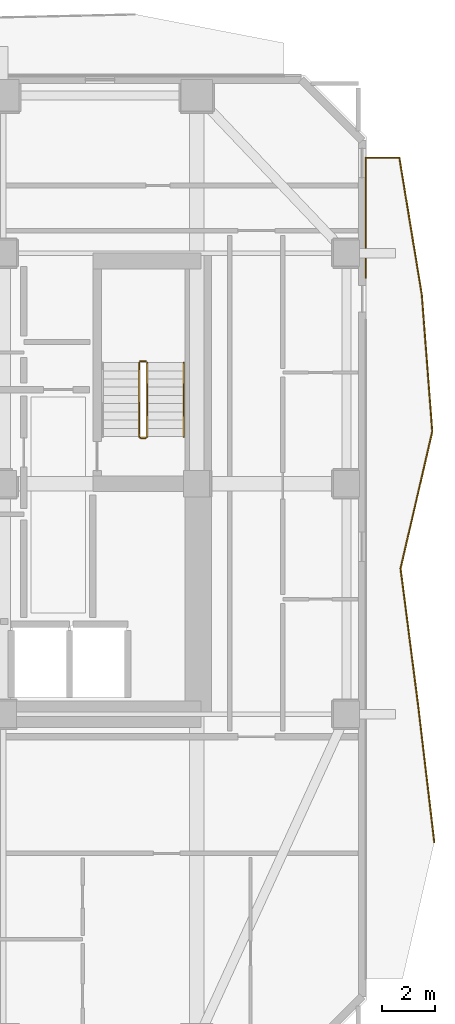
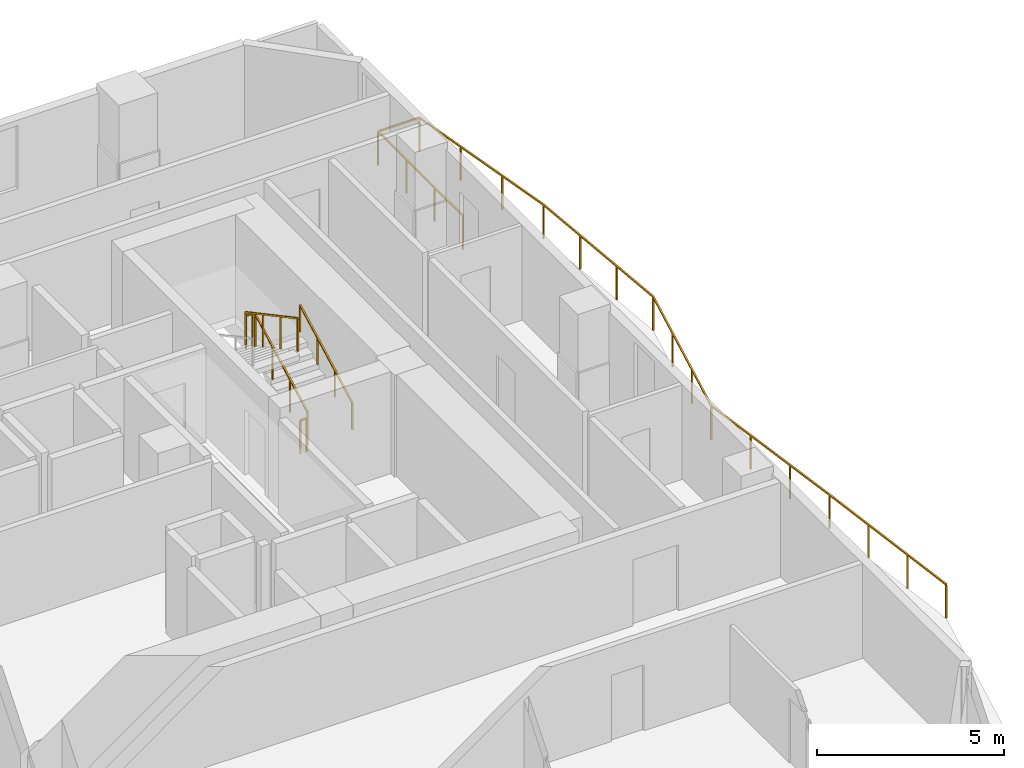
# One storey, part 10 of 11: 6 railings.
"""IFC4 building model written with IfcOpenShell, lengths in metres."""

from ifc_helpers import new_model, si_unit, direction, frame, origin, origin_2d, place, context, subcontext, project, spatial, rectangle, extrude, material, type_object, element, save


model = new_model("IFC4")

# Units and contexts
model_context = context("Model", 3, precision=1e-05, world=origin(), true_north=direction((0.0, 1.0)))
body_context = subcontext(model_context, "Body", "Model", "MODEL_VIEW")
ifc_project = project(units=[si_unit("LENGTHUNIT", "METRE"), si_unit("AREAUNIT", "SQUARE_METRE"), si_unit("VOLUMEUNIT", "CUBIC_METRE"), si_unit("PLANEANGLEUNIT", "RADIAN"), si_unit("MASSUNIT", "GRAM", prefix="KILO")], contexts=[model_context])

# Site, building, storey
site_placement = place(None, origin())
site = spatial("IfcSite", under=ifc_project, at=site_placement, CompositionType="ELEMENT")
building_placement = place(site_placement, origin())
building = spatial("IfcBuilding", under=site, at=building_placement, Name="Solanera Arch Residences", CompositionType="ELEMENT")
storey_placement = place(building_placement, frame((0.0, 0.0, 116.0400390625)))
storey = spatial("IfcBuildingStorey", under=building, at=storey_placement, Name="L33", CompositionType="ELEMENT", Elevation=116.0400390625)

# Railings
ifc_material_1 = material(Name="Steel S355 (ASTM A992 / A572 Grade 50)", Category="steel")
railing_type_1 = type_object("IfcRailingType", Name="Balustrade Railing BL-1100", PredefinedType="BALUSTRADE", material=ifc_material_1)
railing_1_placement = place(storey_placement, frame((45.468017578125, 17.1669921875, 0.0)))
element("IfcRailing", 1, at=railing_1_placement, inside=storey, type_object=railing_type_1, Name="L33 E Balcony Balustrade 1", PredefinedType="BALUSTRADE", context=body_context, shape_type="SweptSolid", body=[
    extrude(rectangle(XDim=0.048095703125, YDim=0.048095703125, at=origin_2d()), frame((0.0, 0.0, 1.09619140625), z_axis=(-0.117099940388, 0.993120135714, 0.0), x_axis=(-0.993120135714, -0.117099940388, 0.0)), (0.0, 0.0, 1.0), 5.201904296875),
    extrude(rectangle(XDim=0.048095703125, YDim=0.048095703125, at=origin_2d()), frame((-0.609130859375, 5.166015625, 1.09619140625), z_axis=(-0.127425584746, 0.991848133714, 0.0), x_axis=(-0.991848133714, -0.127425584746, 0.0)), (0.0, 0.0, 1.0), 5.20947265625),
    extrude(rectangle(XDim=0.048095703125, YDim=0.048095703125, at=origin_2d()), frame((-1.27294921875, 10.3330078125, 1.09619140625), z_axis=(0.225689792519, 0.974199218616, 0.0), x_axis=(-0.974199218616, 0.225689792519, 0.0)), (0.0, 0.0, 1.0), 5.303955078125),
    extrude(rectangle(XDim=0.048095703125, YDim=0.048095703125, at=origin_2d()), frame((-0.075927734375, 15.5, 1.09619140625), z_axis=(-0.076242462164, 0.997089307416, 0.0), x_axis=(-0.997089307416, -0.076242462164, 0.0)), (0.0, 0.0, 1.0), 5.18115234375),
    extrude(rectangle(XDim=0.048095703125, YDim=0.048095703125, at=origin_2d()), frame((-0.470947265625, 20.666015625, 1.09619140625), z_axis=(-0.161797358428, 0.986824003967, 0.0), x_axis=(-0.986824003967, -0.161797358428, 0.0)), (0.0, 0.0, 1.0), 5.236083984375),
    extrude(rectangle(XDim=0.048095703125, YDim=0.048095703125, at=origin_2d()), frame((-1.318115234375, 25.8330078125, 1.09619140625), z_axis=(-1.0, 0.0, 0.0), x_axis=(0.0, -1.0, 0.0)), (0.0, 0.0, 1.0), 1.27001953125),
    extrude(rectangle(XDim=0.048095703125, YDim=0.048095703125, at=origin_2d()), frame((-2.588134765625, 25.8330078125, 1.09619140625), z_axis=(0.0, -1.0, 0.0), x_axis=(1.0, 0.0, 0.0)), (0.0, 0.0, 1.0), 4.52197265625),
    extrude(rectangle(XDim=0.0419921875, YDim=0.0419921875, at=origin_2d()), origin(), (0.0, 0.0, 1.0), 1.072021484375),
    extrude(rectangle(XDim=0.0419921875, YDim=0.0419921875, at=origin_2d()), frame((-0.203125, 1.721923828125, 0.0)), (0.0, 0.0, 1.0), 1.072021484375),
    extrude(rectangle(XDim=0.0419921875, YDim=0.0419921875, at=origin_2d()), frame((-0.406005859375, 3.444091796875, 0.0)), (0.0, 0.0, 1.0), 1.072021484375),
    extrude(rectangle(XDim=0.0419921875, YDim=0.0419921875, at=origin_2d()), frame((-0.609130859375, 5.166015625, 0.0)), (0.0, 0.0, 1.0), 1.072021484375),
    extrude(rectangle(XDim=0.0419921875, YDim=0.0419921875, at=origin_2d()), frame((-0.830322265625, 6.888427734375, 0.0)), (0.0, 0.0, 1.0), 1.072021484375),
    extrude(rectangle(XDim=0.0419921875, YDim=0.0419921875, at=origin_2d()), frame((-1.0517578125, 8.610595703125, 0.0)), (0.0, 0.0, 1.0), 1.072021484375),
    extrude(rectangle(XDim=0.0419921875, YDim=0.0419921875, at=origin_2d()), frame((-1.27294921875, 10.3330078125, 0.0)), (0.0, 0.0, 1.0), 1.072021484375),
    extrude(rectangle(XDim=0.0419921875, YDim=0.0419921875, at=origin_2d()), frame((-0.8740234375, 12.055419921875, 0.0)), (0.0, 0.0, 1.0), 1.072021484375),
    extrude(rectangle(XDim=0.0419921875, YDim=0.0419921875, at=origin_2d()), frame((-0.474853515625, 13.777587890625, 0.0)), (0.0, 0.0, 1.0), 1.072021484375),
    extrude(rectangle(XDim=0.0419921875, YDim=0.0419921875, at=origin_2d()), frame((-0.075927734375, 15.5, 0.0)), (0.0, 0.0, 1.0), 1.072021484375),
    extrude(rectangle(XDim=0.0419921875, YDim=0.0419921875, at=origin_2d()), frame((-0.20751953125, 17.221923828125, 0.0)), (0.0, 0.0, 1.0), 1.072021484375),
    extrude(rectangle(XDim=0.0419921875, YDim=0.0419921875, at=origin_2d()), frame((-0.33935546875, 18.944091796875, 0.0)), (0.0, 0.0, 1.0), 1.072021484375),
    extrude(rectangle(XDim=0.0419921875, YDim=0.0419921875, at=origin_2d()), frame((-0.470947265625, 20.666015625, 0.0)), (0.0, 0.0, 1.0), 1.072021484375),
    extrude(rectangle(XDim=0.0419921875, YDim=0.0419921875, at=origin_2d()), frame((-0.75341796875, 22.388427734375, 0.0)), (0.0, 0.0, 1.0), 1.072021484375),
    extrude(rectangle(XDim=0.0419921875, YDim=0.0419921875, at=origin_2d()), frame((-1.03564453125, 24.110595703125, 0.0)), (0.0, 0.0, 1.0), 1.072021484375),
    extrude(rectangle(XDim=0.0419921875, YDim=0.0419921875, at=origin_2d()), frame((-1.318115234375, 25.8330078125, 0.0)), (0.0, 0.0, 1.0), 1.072021484375),
    extrude(rectangle(XDim=0.0419921875, YDim=0.0419921875, at=origin_2d()), frame((-2.588134765625, 25.8330078125, 0.0)), (0.0, 0.0, 1.0), 1.072021484375),
    extrude(rectangle(XDim=0.0419921875, YDim=0.0419921875, at=origin_2d()), frame((-2.588134765625, 24.32568359375, 0.0)), (0.0, 0.0, 1.0), 1.072021484375),
    extrude(rectangle(XDim=0.0419921875, YDim=0.0419921875, at=origin_2d()), frame((-2.588134765625, 22.818359375, 0.0)), (0.0, 0.0, 1.0), 1.072021484375),
    extrude(rectangle(XDim=0.0419921875, YDim=0.0419921875, at=origin_2d()), frame((-2.588134765625, 21.31103515625, 0.0)), (0.0, 0.0, 1.0), 1.072021484375),
])
ifc_material_2 = material(Name="Steel S355 (ASTM A992 / A572 Grade 50)", Category="steel")
railing_type_2 = type_object("IfcRailingType", Name="Stair Guardrail GR-1100", PredefinedType="GUARDRAIL", material=ifc_material_2)
railing_2_placement = place(storey_placement, frame((34.6298828125, 32.47998046875, 0.15087890625)))
element("IfcRailing", 2, at=railing_2_placement, inside=storey, type_object=railing_type_2, Name="L33 ST-T2 stair guard 1", PredefinedType="GUARDRAIL", context=body_context, shape_type="SweptSolid", body=[
    extrude(rectangle(XDim=0.048095703125, YDim=0.048095703125, at=origin_2d()), frame((0.0, 0.0, 1.076171875), z_axis=(0.0, 0.881548766853, 0.472092969298), x_axis=(-1.0, 0.0, 0.0)), (0.0, 0.0, 1.0), 3.1650390625),
    extrude(rectangle(XDim=0.0419921875, YDim=0.0419921875, at=origin_2d()), origin(), (0.0, 0.0, 1.0), 1.052001953125),
    extrude(rectangle(XDim=0.0419921875, YDim=0.0419921875, at=origin_2d()), frame((0.0, 0.929931640625, 0.498046875)), (0.0, 0.0, 1.0), 1.052001953125),
    extrude(rectangle(XDim=0.0419921875, YDim=0.0419921875, at=origin_2d()), frame((0.0, 1.860107421875, 0.99609375)), (0.0, 0.0, 1.0), 1.052001953125),
    extrude(rectangle(XDim=0.0419921875, YDim=0.0419921875, at=origin_2d()), frame((0.0, 2.7900390625, 1.494140625)), (0.0, 0.0, 1.0), 1.052001953125),
])
railing_3_placement = place(storey_placement, frame((34.580078125, 35.320068359375, 1.64501953125)))
element("IfcRailing", 3, at=railing_3_placement, inside=storey, type_object=railing_type_2, Name="L33 ST-T2 stair guard 2", PredefinedType="GUARDRAIL", context=body_context, shape_type="SweptSolid", body=[
    extrude(rectangle(XDim=0.048095703125, YDim=0.048095703125, at=origin_2d()), frame((0.0, 0.0, 1.076171875), z_axis=(-1.0, 0.0, 0.0), x_axis=(0.0, -1.0, 0.0)), (0.0, 0.0, 1.0), 0.2001953125),
    extrude(rectangle(XDim=0.0419921875, YDim=0.0419921875, at=origin_2d()), origin(), (0.0, 0.0, 1.0), 1.052001953125),
    extrude(rectangle(XDim=0.0419921875, YDim=0.0419921875, at=origin_2d()), frame((-0.2001953125, 0.0, 0.0)), (0.0, 0.0, 1.0), 1.052001953125),
])
railing_4_placement = place(storey_placement, frame((34.330078125, 35.27001953125, 1.81103515625)))
element("IfcRailing", 4, at=railing_4_placement, inside=storey, type_object=railing_type_2, Name="L33 ST-T2 stair guard 3", PredefinedType="GUARDRAIL", context=body_context, shape_type="SweptSolid", body=[
    extrude(rectangle(XDim=0.048095703125, YDim=0.048095703125, at=origin_2d()), frame((0.0, 0.0, 1.076171875), z_axis=(0.0, -0.881580869306, 0.472033018838), x_axis=(1.0, 0.0, 0.0)), (0.0, 0.0, 1.0), 3.164794921875),
    extrude(rectangle(XDim=0.0419921875, YDim=0.0419921875, at=origin_2d()), origin(), (0.0, 0.0, 1.0), 1.052001953125),
    extrude(rectangle(XDim=0.0419921875, YDim=0.0419921875, at=origin_2d()), frame((0.0, -0.929931640625, 0.498046875)), (0.0, 0.0, 1.0), 1.052001953125),
    extrude(rectangle(XDim=0.0419921875, YDim=0.0419921875, at=origin_2d()), frame((0.0, -1.860107421875, 0.995849609375)), (0.0, 0.0, 1.0), 1.052001953125),
    extrude(rectangle(XDim=0.0419921875, YDim=0.0419921875, at=origin_2d()), frame((0.0, -2.7900390625, 1.493896484375)), (0.0, 0.0, 1.0), 1.052001953125),
])
railing_5_placement = place(storey_placement, frame((34.580078125, 32.429931640625, -0.01513671875)))
element("IfcRailing", 5, at=railing_5_placement, inside=storey, type_object=railing_type_2, Name="L33 ST-T2 stair guard 4", PredefinedType="GUARDRAIL", context=body_context, shape_type="SweptSolid", body=[
    extrude(rectangle(XDim=0.048095703125, YDim=0.048095703125, at=origin_2d()), frame((0.0, 0.0, 1.076171875), z_axis=(-1.0, 0.0, 0.0), x_axis=(0.0, -1.0, 0.0)), (0.0, 0.0, 1.0), 0.2001953125),
    extrude(rectangle(XDim=0.0419921875, YDim=0.0419921875, at=origin_2d()), origin(), (0.0, 0.0, 1.0), 1.052001953125),
    extrude(rectangle(XDim=0.0419921875, YDim=0.0419921875, at=origin_2d()), frame((-0.2001953125, 0.0, 0.0)), (0.0, 0.0, 1.0), 1.052001953125),
])
ifc_material_3 = material(Name="Steel S355 (ASTM A992 / A572 Grade 50)", Category="steel")
railing_type_3 = type_object("IfcRailingType", Name="Stair Wall Handrail HR-920", PredefinedType="HANDRAIL", material=ifc_material_3)
railing_6_placement = place(storey_placement, frame((36.010009765625, 32.47998046875, 0.166015625)))
element("IfcRailing", 6, at=railing_6_placement, inside=storey, type_object=railing_type_3, Name="L33 ST-T2 stair handrail 1", PredefinedType="HANDRAIL", context=body_context, shape_type="SweptSolid", body=[
    extrude(rectangle(XDim=0.048095703125, YDim=0.048095703125, at=origin_2d()), frame((0.0, 0.0, 0.8759765625), z_axis=(0.0, 0.881580869306, 0.472033018838), x_axis=(-1.0, 0.0, 0.0)), (0.0, 0.0, 1.0), 3.164794921875),
    extrude(rectangle(XDim=0.0419921875, YDim=0.0419921875, at=origin_2d()), origin(), (0.0, 0.0, 1.0), 0.851806640625),
    extrude(rectangle(XDim=0.0419921875, YDim=0.0419921875, at=origin_2d()), frame((0.0, 0.929931640625, 0.498046875)), (0.0, 0.0, 1.0), 0.851806640625),
    extrude(rectangle(XDim=0.0419921875, YDim=0.0419921875, at=origin_2d()), frame((0.0, 1.860107421875, 0.995849609375)), (0.0, 0.0, 1.0), 0.851806640625),
    extrude(rectangle(XDim=0.0419921875, YDim=0.0419921875, at=origin_2d()), frame((0.0, 2.7900390625, 1.493896484375)), (0.0, 0.0, 1.0), 0.851806640625),
])

save(model, "model.ifc")
